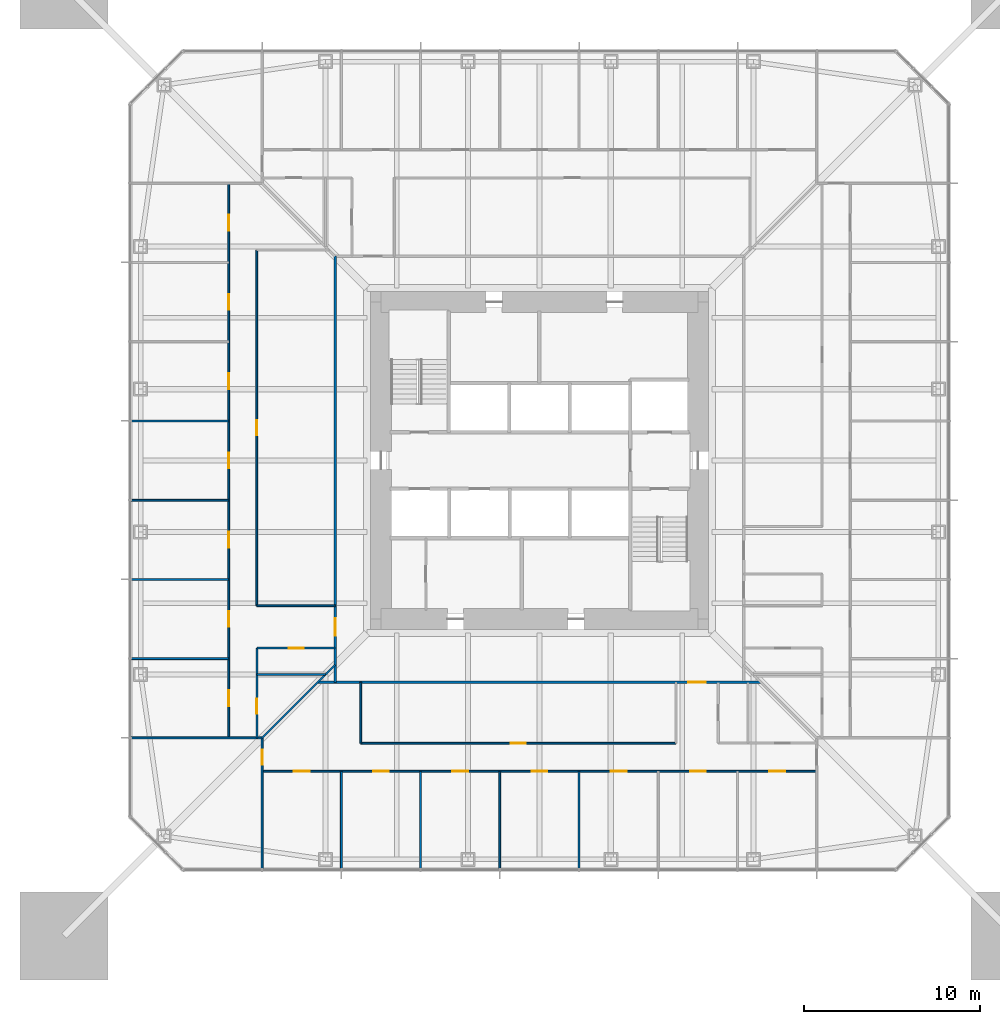
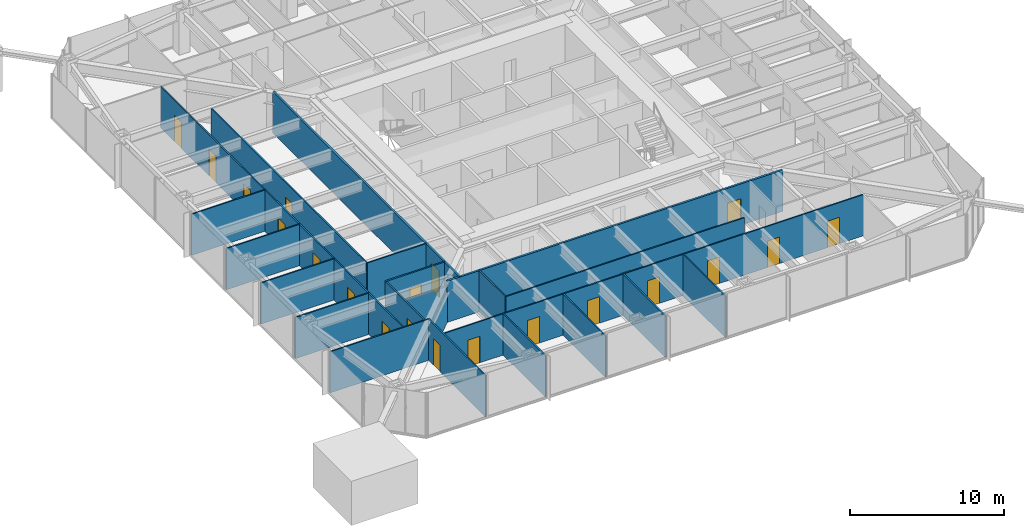
# One storey, part 14 of 26: 22 walls, 21 doors, 21 openings.
"""IFC4 building model written with IfcOpenShell, lengths in metres."""

from ifc_helpers import new_model, si_unit, direction, frame, frame_2d, origin, place, context, subcontext, project, spatial, rectangle, extrude, material, layer, layer_set, type_object, element, fill, save


model = new_model("IFC4")

# Units and contexts
model_context = context("Model", 3, precision=1e-05, world=origin(), true_north=direction((0.0, 1.0)))
body_context = subcontext(model_context, "Body", "Model", "MODEL_VIEW")
ifc_project = project(units=[si_unit("LENGTHUNIT", "METRE"), si_unit("AREAUNIT", "SQUARE_METRE"), si_unit("VOLUMEUNIT", "CUBIC_METRE"), si_unit("PLANEANGLEUNIT", "RADIAN"), si_unit("MASSUNIT", "GRAM", prefix="KILO")], contexts=[model_context])

# Site, building, storey
site_placement = place(None, origin())
site = spatial("IfcSite", under=ifc_project, at=site_placement, CompositionType="ELEMENT")
building_placement = place(site_placement, origin())
building = spatial("IfcBuilding", under=site, at=building_placement, Name="Iwan Alto Co-Living Towers", CompositionType="ELEMENT")
storey_placement = place(building_placement, frame((0.0, 0.0, 22.0)))
storey = spatial("IfcBuildingStorey", under=building, at=storey_placement, Name="L05", CompositionType="ELEMENT", Elevation=22.0)

# Wall, opening, door
ifc_material_1 = material(Name="Gypsum board")
ifc_layer_1 = layer(ifc_material_1, 0.02490234375, Name="Board", Category="Finish")
ifc_material_2 = material(Name="Steel ASTM A1003 ST33H cold-formed studs", Category="steel")
ifc_layer_2 = layer(ifc_material_2, 0.10009765625, Name="Studs", Category="Framing")
ifc_layer_3 = layer(ifc_material_1, 0.02490234375, Name="Board", Category="Finish")
ifc_layer_set_1 = layer_set([ifc_layer_1, ifc_layer_2, ifc_layer_3], Name="CORRIDOR WALL 150")
wall_type_1 = type_object("IfcWallType", Name="CORRIDOR WALL 150", PredefinedType="PARTITIONING", material=ifc_layer_set_1)
wall_1_placement = place(storey_placement, frame((-12.60009765625, -12.60009765625, 0.0), z_axis=(0.0, 0.0, 1.0), x_axis=(1.0, 0.0, 0.0)))
wall_1 = element("IfcWall", 1, at=wall_1_placement, inside=storey, type_object=wall_type_1, Name="Partition L05", PredefinedType="PARTITIONING", context=body_context, shape_type="SweptSolid", body=[
    extrude(rectangle(XDim=25.2001953125, YDim=0.14990234375, at=frame_2d((12.60009765625, 0.0))), origin(), (0.0, 0.0, 1.0), 3.27001953125),
])
opening_1_placement = place(wall_1_placement, frame((21.050048828125, 0.0, 0.0)))
opening_1 = element("IfcOpeningElement", 2, at=opening_1_placement, cuts=wall_1, Name="Opening D3", PredefinedType="OPENING", context=body_context, shape_type="SweptSolid", body=[
    extrude(rectangle(XDim=1.0, YDim=2.10009765625, at=frame_2d((0.5, 1.050048828125))), frame((0.0, 0.0849609375, 0.0), z_axis=(0.0, -1.0, 0.0), x_axis=(1.0, 0.0, 0.0)), (0.0, 0.0, 1.0), 0.169921875),
])
ifc_material_3 = material(Name="Steel frame with timber leaf", Category="steel")
door_type_1 = type_object("IfcDoorType", Name="FLAT ENTRANCE DOOR FD30S 1000X2100", OperationType="SINGLE_SWING_LEFT", PredefinedType="DOOR", material=ifc_material_3)
door_1_placement = place(opening_1_placement, frame((1.0, 0.0, 0.0), z_axis=(0.0, 0.0, 1.0), x_axis=(-1.0, 0.0, 0.0)))
door_1 = element("IfcDoor", 3, at=door_1_placement, inside=storey, type_object=door_type_1, Name="Cluster lounge door L05", OperationType="SINGLE_SWING_RIGHT", OverallHeight=2.10009765625, OverallWidth=1.0, PredefinedType="DOOR", context=body_context, shape_type="SweptSolid", body=[
    extrude(rectangle(XDim=1.0, YDim=2.10009765625, at=frame_2d((0.5, 1.050048828125))), frame((0.0, 0.02490234375, 0.0), z_axis=(0.0, -1.0, 0.0), x_axis=(1.0, 0.0, 0.0)), (0.0, 0.0, 1.0), 0.050048828125),
])
fill(opening_1, door_1)

wall_2_placement = place(storey_placement, frame((-11.60009765625, -12.60009765625, 0.0), z_axis=(0.0, 0.0, 1.0), x_axis=(0.0, 1.0, 0.0)))
wall_2 = element("IfcWall", 4, at=wall_2_placement, inside=storey, type_object=wall_type_1, Name="Partition L05", PredefinedType="PARTITIONING", context=body_context, shape_type="SweptSolid", body=[
    extrude(rectangle(XDim=24.2001953125, YDim=0.14990234375, at=frame_2d((12.10009765625, 0.0))), origin(), (0.0, 0.0, 1.0), 3.27001953125),
])
opening_2_placement = place(wall_2_placement, frame((2.64990234375, 0.0, 0.0)))
opening_2 = element("IfcOpeningElement", 5, at=opening_2_placement, cuts=wall_2, Name="Opening D3", PredefinedType="OPENING", context=body_context, shape_type="SweptSolid", body=[
    extrude(rectangle(XDim=1.0, YDim=2.10009765625, at=frame_2d((0.5, 1.050048828125))), frame((0.0, 0.0849609375, 0.0), z_axis=(0.0, -1.0, 0.0), x_axis=(1.0, 0.0, 0.0)), (0.0, 0.0, 1.0), 0.169921875),
])
door_2_placement = place(opening_2_placement, origin())
door_2 = element("IfcDoor", 6, at=door_2_placement, inside=storey, type_object=door_type_1, Name="Cluster lounge and shared kitchen door L05", OperationType="SINGLE_SWING_LEFT", OverallHeight=2.10009765625, OverallWidth=1.0, PredefinedType="DOOR", context=body_context, shape_type="SweptSolid", body=[
    extrude(rectangle(XDim=1.0, YDim=2.10009765625, at=frame_2d((0.5, 1.050048828125))), frame((0.0, 0.02490234375, 0.0), z_axis=(0.0, -1.0, 0.0), x_axis=(1.0, 0.0, 0.0)), (0.0, 0.0, 1.0), 0.050048828125),
])
fill(opening_2, door_2)

# Wall, openings, doors
ifc_layer_4 = layer(ifc_material_1, 0.012451171875, Name="Board", Category="Finish")
ifc_layer_5 = layer(ifc_material_2, 0.074951171875, Name="Studs", Category="Framing")
ifc_layer_6 = layer(ifc_material_1, 0.012451171875, Name="Board", Category="Finish")
ifc_layer_set_2 = layer_set([ifc_layer_4, ifc_layer_5, ifc_layer_6], Name="PARTITION 100")
wall_type_2 = type_object("IfcWallType", Name="PARTITION 100", PredefinedType="PARTITIONING", material=ifc_layer_set_2)
wall_3_placement = place(storey_placement, frame((-15.75, -17.64990234375, 0.0), z_axis=(0.0, 0.0, 1.0), x_axis=(1.0, 0.0, 0.0)))
wall_3 = element("IfcWall", 7, at=wall_3_placement, inside=storey, type_object=wall_type_2, Name="Partition L05", PredefinedType="PARTITIONING", context=body_context, shape_type="SweptSolid", body=[
    extrude(rectangle(XDim=31.5, YDim=0.10009765625, at=frame_2d((15.75, 0.0))), origin(), (0.0, 0.0, 1.0), 3.27001953125),
])
opening_3_placement = place(wall_3_placement, frame((1.800048828125, 0.0, 0.0)))
opening_3 = element("IfcOpeningElement", 8, at=opening_3_placement, cuts=wall_3, Name="Opening D1", PredefinedType="OPENING", context=body_context, shape_type="SweptSolid", body=[
    extrude(rectangle(XDim=0.89990234375, YDim=2.10009765625, at=frame_2d((0.449951171875, 1.050048828125))), frame((0.0, 0.06005859375, 0.0), z_axis=(0.0, -1.0, 0.0), x_axis=(1.0, 0.0, 0.0)), (0.0, 0.0, 1.0), 0.1201171875),
])
opening_4_placement = place(wall_3_placement, frame((6.300048828125, 0.0, 0.0)))
opening_4 = element("IfcOpeningElement", 9, at=opening_4_placement, cuts=wall_3, Name="Opening D1", PredefinedType="OPENING", context=body_context, shape_type="SweptSolid", body=[
    extrude(rectangle(XDim=0.89990234375, YDim=2.10009765625, at=frame_2d((0.449951171875, 1.050048828125))), frame((0.0, 0.06005859375, 0.0), z_axis=(0.0, -1.0, 0.0), x_axis=(1.0, 0.0, 0.0)), (0.0, 0.0, 1.0), 0.1201171875),
])
opening_5_placement = place(wall_3_placement, frame((10.800048828125, 0.0, 0.0)))
opening_5 = element("IfcOpeningElement", 10, at=opening_5_placement, cuts=wall_3, Name="Opening D1", PredefinedType="OPENING", context=body_context, shape_type="SweptSolid", body=[
    extrude(rectangle(XDim=0.89990234375, YDim=2.10009765625, at=frame_2d((0.449951171875, 1.050048828125))), frame((0.0, 0.06005859375, 0.0), z_axis=(0.0, -1.0, 0.0), x_axis=(1.0, 0.0, 0.0)), (0.0, 0.0, 1.0), 0.1201171875),
])
opening_6_placement = place(wall_3_placement, frame((15.300048828125, 0.0, 0.0)))
opening_6 = element("IfcOpeningElement", 11, at=opening_6_placement, cuts=wall_3, Name="Opening D1", PredefinedType="OPENING", context=body_context, shape_type="SweptSolid", body=[
    extrude(rectangle(XDim=0.89990234375, YDim=2.10009765625, at=frame_2d((0.449951171875, 1.050048828125))), frame((0.0, 0.06005859375, 0.0), z_axis=(0.0, -1.0, 0.0), x_axis=(1.0, 0.0, 0.0)), (0.0, 0.0, 1.0), 0.1201171875),
])
opening_7_placement = place(wall_3_placement, frame((19.800048828125, 0.0, 0.0)))
opening_7 = element("IfcOpeningElement", 12, at=opening_7_placement, cuts=wall_3, Name="Opening D1", PredefinedType="OPENING", context=body_context, shape_type="SweptSolid", body=[
    extrude(rectangle(XDim=0.89990234375, YDim=2.10009765625, at=frame_2d((0.449951171875, 1.050048828125))), frame((0.0, 0.06005859375, 0.0), z_axis=(0.0, -1.0, 0.0), x_axis=(1.0, 0.0, 0.0)), (0.0, 0.0, 1.0), 0.1201171875),
])
opening_8_placement = place(wall_3_placement, frame((24.300048828125, 0.0, 0.0)))
opening_8 = element("IfcOpeningElement", 13, at=opening_8_placement, cuts=wall_3, Name="Opening D1", PredefinedType="OPENING", context=body_context, shape_type="SweptSolid", body=[
    extrude(rectangle(XDim=0.89990234375, YDim=2.10009765625, at=frame_2d((0.449951171875, 1.050048828125))), frame((0.0, 0.06005859375, 0.0), z_axis=(0.0, -1.0, 0.0), x_axis=(1.0, 0.0, 0.0)), (0.0, 0.0, 1.0), 0.1201171875),
])
opening_9_placement = place(wall_3_placement, frame((28.800048828125, 0.0, 0.0)))
opening_9 = element("IfcOpeningElement", 14, at=opening_9_placement, cuts=wall_3, Name="Opening D1", PredefinedType="OPENING", context=body_context, shape_type="SweptSolid", body=[
    extrude(rectangle(XDim=0.89990234375, YDim=2.10009765625, at=frame_2d((0.449951171875, 1.050048828125))), frame((0.0, 0.06005859375, 0.0), z_axis=(0.0, -1.0, 0.0), x_axis=(1.0, 0.0, 0.0)), (0.0, 0.0, 1.0), 0.1201171875),
])
ifc_material_4 = material(Name="Timber leaf in steel frame", Category="steel")
door_type_2 = type_object("IfcDoorType", Name="BEDROOM DOOR 900X2100", OperationType="SINGLE_SWING_LEFT", PredefinedType="DOOR", material=ifc_material_4)
door_3_placement = place(opening_3_placement, origin())
door_3 = element("IfcDoor", 15, at=door_3_placement, inside=storey, type_object=door_type_2, Name="Study bedroom door L05", OperationType="SINGLE_SWING_LEFT", OverallHeight=2.10009765625, OverallWidth=0.89990234375, PredefinedType="DOOR", context=body_context, shape_type="SweptSolid", body=[
    extrude(rectangle(XDim=0.89990234375, YDim=2.10009765625, at=frame_2d((0.449951171875, 1.050048828125))), frame((0.0, 0.02490234375, 0.0), z_axis=(0.0, -1.0, 0.0), x_axis=(1.0, 0.0, 0.0)), (0.0, 0.0, 1.0), 0.050048828125),
])
fill(opening_3, door_3)
door_4_placement = place(opening_4_placement, origin())
door_4 = element("IfcDoor", 16, at=door_4_placement, inside=storey, type_object=door_type_2, Name="Study bedroom door L05", OperationType="SINGLE_SWING_LEFT", OverallHeight=2.10009765625, OverallWidth=0.89990234375, PredefinedType="DOOR", context=body_context, shape_type="SweptSolid", body=[
    extrude(rectangle(XDim=0.89990234375, YDim=2.10009765625, at=frame_2d((0.449951171875, 1.050048828125))), frame((0.0, 0.02490234375, 0.0), z_axis=(0.0, -1.0, 0.0), x_axis=(1.0, 0.0, 0.0)), (0.0, 0.0, 1.0), 0.050048828125),
])
fill(opening_4, door_4)
door_5_placement = place(opening_5_placement, origin())
door_5 = element("IfcDoor", 17, at=door_5_placement, inside=storey, type_object=door_type_2, Name="Study bedroom door L05", OperationType="SINGLE_SWING_LEFT", OverallHeight=2.10009765625, OverallWidth=0.89990234375, PredefinedType="DOOR", context=body_context, shape_type="SweptSolid", body=[
    extrude(rectangle(XDim=0.89990234375, YDim=2.10009765625, at=frame_2d((0.449951171875, 1.050048828125))), frame((0.0, 0.02490234375, 0.0), z_axis=(0.0, -1.0, 0.0), x_axis=(1.0, 0.0, 0.0)), (0.0, 0.0, 1.0), 0.050048828125),
])
fill(opening_5, door_5)
door_6_placement = place(opening_6_placement, origin())
door_6 = element("IfcDoor", 18, at=door_6_placement, inside=storey, type_object=door_type_2, Name="Study bedroom door L05", OperationType="SINGLE_SWING_LEFT", OverallHeight=2.10009765625, OverallWidth=0.89990234375, PredefinedType="DOOR", context=body_context, shape_type="SweptSolid", body=[
    extrude(rectangle(XDim=0.89990234375, YDim=2.10009765625, at=frame_2d((0.449951171875, 1.050048828125))), frame((0.0, 0.02490234375, 0.0), z_axis=(0.0, -1.0, 0.0), x_axis=(1.0, 0.0, 0.0)), (0.0, 0.0, 1.0), 0.050048828125),
])
fill(opening_6, door_6)
door_7_placement = place(opening_7_placement, origin())
door_7 = element("IfcDoor", 19, at=door_7_placement, inside=storey, type_object=door_type_2, Name="Study bedroom door L05", OperationType="SINGLE_SWING_RIGHT", OverallHeight=2.10009765625, OverallWidth=0.89990234375, PredefinedType="DOOR", context=body_context, shape_type="SweptSolid", body=[
    extrude(rectangle(XDim=0.89990234375, YDim=2.10009765625, at=frame_2d((0.449951171875, 1.050048828125))), frame((0.0, 0.02490234375, 0.0), z_axis=(0.0, -1.0, 0.0), x_axis=(1.0, 0.0, 0.0)), (0.0, 0.0, 1.0), 0.050048828125),
])
fill(opening_7, door_7)
door_8_placement = place(opening_8_placement, origin())
door_8 = element("IfcDoor", 20, at=door_8_placement, inside=storey, type_object=door_type_2, Name="Study bedroom door L05", OperationType="SINGLE_SWING_RIGHT", OverallHeight=2.10009765625, OverallWidth=0.89990234375, PredefinedType="DOOR", context=body_context, shape_type="SweptSolid", body=[
    extrude(rectangle(XDim=0.89990234375, YDim=2.10009765625, at=frame_2d((0.449951171875, 1.050048828125))), frame((0.0, 0.02490234375, 0.0), z_axis=(0.0, -1.0, 0.0), x_axis=(1.0, 0.0, 0.0)), (0.0, 0.0, 1.0), 0.050048828125),
])
fill(opening_8, door_8)
door_9_placement = place(opening_9_placement, origin())
door_9 = element("IfcDoor", 21, at=door_9_placement, inside=storey, type_object=door_type_2, Name="Study bedroom door L05", OperationType="SINGLE_SWING_RIGHT", OverallHeight=2.10009765625, OverallWidth=0.89990234375, PredefinedType="DOOR", context=body_context, shape_type="SweptSolid", body=[
    extrude(rectangle(XDim=0.89990234375, YDim=2.10009765625, at=frame_2d((0.449951171875, 1.050048828125))), frame((0.0, 0.02490234375, 0.0), z_axis=(0.0, -1.0, 0.0), x_axis=(1.0, 0.0, 0.0)), (0.0, 0.0, 1.0), 0.050048828125),
])
fill(opening_9, door_9)

# Wall, opening, door
wall_4_placement = place(storey_placement, frame((-10.14990234375, -16.050048828125, 0.0), z_axis=(0.0, 0.0, 1.0), x_axis=(1.0, 0.0, 0.0)))
wall_4 = element("IfcWall", 22, at=wall_4_placement, inside=storey, type_object=wall_type_2, Name="Partition L05", PredefinedType="PARTITIONING", context=body_context, shape_type="SweptSolid", body=[
    extrude(rectangle(XDim=17.89990234375, YDim=0.10009765625, at=frame_2d((8.949951171875, 0.0))), origin(), (0.0, 0.0, 1.0), 3.27001953125),
])
opening_10_placement = place(wall_4_placement, frame((8.52490234375, 0.0, 0.0)))
opening_10 = element("IfcOpeningElement", 23, at=opening_10_placement, cuts=wall_4, Name="Opening D2", PredefinedType="OPENING", context=body_context, shape_type="SweptSolid", body=[
    extrude(rectangle(XDim=0.85009765625, YDim=2.10009765625, at=frame_2d((0.425048828125, 1.050048828125))), frame((0.0, 0.06005859375, 0.0), z_axis=(0.0, -1.0, 0.0), x_axis=(1.0, 0.0, 0.0)), (0.0, 0.0, 1.0), 0.1201171875),
])
ifc_material_5 = material(Name="Timber leaf in steel frame", Category="steel")
door_type_3 = type_object("IfcDoorType", Name="ROOM DOOR 850X2100", OperationType="SINGLE_SWING_LEFT", PredefinedType="DOOR", material=ifc_material_5)
door_10_placement = place(opening_10_placement, frame((0.85009765625, 0.0, 0.0), z_axis=(0.0, 0.0, 1.0), x_axis=(-1.0, 0.0, 0.0)))
door_10 = element("IfcDoor", 24, at=door_10_placement, inside=storey, type_object=door_type_3, Name="Study lounge door L05", OperationType="SINGLE_SWING_RIGHT", OverallHeight=2.10009765625, OverallWidth=0.85009765625, PredefinedType="DOOR", context=body_context, shape_type="SweptSolid", body=[
    extrude(rectangle(XDim=0.85009765625, YDim=2.10009765625, at=frame_2d((0.425048828125, 1.050048828125))), frame((0.0, 0.02490234375, 0.0), z_axis=(0.0, -1.0, 0.0), x_axis=(1.0, 0.0, 0.0)), (0.0, 0.0, 1.0), 0.050048828125),
])
fill(opening_10, door_10)

# Walls
wall_5_placement = place(storey_placement, frame((-23.18994140625, -15.75, 0.0), z_axis=(0.0, 0.0, 1.0), x_axis=(1.0, 0.0, 0.0)))
element("IfcWall", 25, at=wall_5_placement, inside=storey, type_object=wall_type_2, Name="Partition L05", PredefinedType="PARTITIONING", context=body_context, shape_type="SweptSolid", body=[
    extrude(rectangle(XDim=7.43994140625, YDim=0.10009765625, at=frame_2d((3.719970703125, 0.0))), origin(), (0.0, 0.0, 1.0), 3.27001953125),
])
wall_6_placement = place(storey_placement, frame((-23.18994140625, -11.25, 0.0), z_axis=(0.0, 0.0, 1.0), x_axis=(1.0, 0.0, 0.0)))
element("IfcWall", 26, at=wall_6_placement, inside=storey, type_object=wall_type_2, Name="Partition L05", PredefinedType="PARTITIONING", context=body_context, shape_type="SweptSolid", body=[
    extrude(rectangle(XDim=5.5400390625, YDim=0.10009765625, at=frame_2d((2.77001953125, 0.0))), origin(), (0.0, 0.0, 1.0), 3.27001953125),
])
wall_7_placement = place(storey_placement, frame((-16.050048828125, -8.25, 0.0), z_axis=(0.0, 0.0, 1.0), x_axis=(1.0, 0.0, 0.0)))
element("IfcWall", 27, at=wall_7_placement, inside=storey, type_object=wall_type_2, Name="Partition L05", PredefinedType="PARTITIONING", context=body_context, shape_type="SweptSolid", body=[
    extrude(rectangle(XDim=4.449951171875, YDim=0.10009765625, at=frame_2d((2.22509765625, 0.0))), origin(), (0.0, 0.0, 1.0), 3.27001953125),
])
for number, where, z_axis, x_axis, name in (
    (28, (-23.18994140625, -6.75, 0.0), (0.0, 0.0, 1.0), (1.0, 0.0, 0.0), "Partition L05"),
    (29, (-23.18994140625, -2.25, 0.0), (0.0, 0.0, 1.0), (1.0, 0.0, 0.0), "Partition L05"),
    (30, (-23.18994140625, 2.25, 0.0), (0.0, 0.0, 1.0), (1.0, 0.0, 0.0), "Partition L05"),
    (31, (2.25, -23.18994140625, 0.0), (0.0, 0.0, 1.0), (0.0, 1.0, 0.0), "Partition L05"),
    (32, (-2.25, -23.18994140625, 0.0), (0.0, 0.0, 1.0), (0.0, 1.0, 0.0), "Partition L05"),
    (33, (-6.75, -23.18994140625, 0.0), (0.0, 0.0, 1.0), (0.0, 1.0, 0.0), "Partition L05"),
):
    element("IfcWall", number, at=place(storey_placement, frame(where, z_axis=z_axis, x_axis=x_axis)), inside=storey, type_object=wall_type_2, Name=name, PredefinedType="PARTITIONING", context=body_context, shape_type="SweptSolid", body=[
        extrude(rectangle(XDim=5.5400390625, YDim=0.10009765625, at=frame_2d((2.77001953125, 0.0))), origin(), (0.0, 0.0, 1.0), 3.27001953125),
    ])
wall_8_placement = place(storey_placement, frame((-10.14990234375, -16.050048828125, 0.0), z_axis=(0.0, 0.0, 1.0), x_axis=(0.0, 1.0, 0.0)))
element("IfcWall", 34, at=wall_8_placement, inside=storey, type_object=wall_type_2, Name="Partition L05", PredefinedType="PARTITIONING", context=body_context, shape_type="SweptSolid", body=[
    extrude(rectangle(XDim=3.449951171875, YDim=0.10009765625, at=frame_2d((1.72509765625, 0.0))), origin(), (0.0, 0.0, 1.0), 3.27001953125),
])
wall_9_placement = place(storey_placement, frame((-11.25, -23.18994140625, 0.0), z_axis=(0.0, 0.0, 1.0), x_axis=(0.0, 1.0, 0.0)))
element("IfcWall", 35, at=wall_9_placement, inside=storey, type_object=wall_type_2, Name="Partition L05", PredefinedType="PARTITIONING", context=body_context, shape_type="SweptSolid", body=[
    extrude(rectangle(XDim=5.5400390625, YDim=0.10009765625, at=frame_2d((2.77001953125, 0.0))), origin(), (0.0, 0.0, 1.0), 3.27001953125),
])

# Wall, opening, door
wall_10_placement = place(storey_placement, frame((-15.75, -23.18994140625, 0.0), z_axis=(0.0, 0.0, 1.0), x_axis=(0.0, 1.0, 0.0)))
wall_10 = element("IfcWall", 36, at=wall_10_placement, inside=storey, type_object=wall_type_2, Name="Partition L05", PredefinedType="PARTITIONING", context=body_context, shape_type="SweptSolid", body=[
    extrude(rectangle(XDim=7.43994140625, YDim=0.10009765625, at=frame_2d((3.719970703125, 0.0))), origin(), (0.0, 0.0, 1.0), 3.27001953125),
])
opening_11_placement = place(wall_10_placement, frame((5.9150390625, 0.0, 0.0)))
opening_11 = element("IfcOpeningElement", 37, at=opening_11_placement, cuts=wall_10, Name="Opening D2", PredefinedType="OPENING", context=body_context, shape_type="SweptSolid", body=[
    extrude(rectangle(XDim=0.85009765625, YDim=2.10009765625, at=frame_2d((0.425048828125, 1.050048828125))), frame((0.0, 0.06005859375, 0.0), z_axis=(0.0, -1.0, 0.0), x_axis=(1.0, 0.0, 0.0)), (0.0, 0.0, 1.0), 0.1201171875),
])
door_11_placement = place(opening_11_placement, frame((0.85009765625, 0.0, 0.0), z_axis=(0.0, 0.0, 1.0), x_axis=(-1.0, 0.0, 0.0)))
door_11 = element("IfcDoor", 38, at=door_11_placement, inside=storey, type_object=door_type_3, Name="Shared kitchen and dining room door L05", OperationType="SINGLE_SWING_RIGHT", OverallHeight=2.10009765625, OverallWidth=0.85009765625, PredefinedType="DOOR", context=body_context, shape_type="SweptSolid", body=[
    extrude(rectangle(XDim=0.85009765625, YDim=2.10009765625, at=frame_2d((0.425048828125, 1.050048828125))), frame((0.0, 0.02490234375, 0.0), z_axis=(0.0, -1.0, 0.0), x_axis=(1.0, 0.0, 0.0)), (0.0, 0.0, 1.0), 0.050048828125),
])
fill(opening_11, door_11)

wall_11_placement = place(storey_placement, frame((-16.050048828125, -8.25, 0.0), z_axis=(0.0, 0.0, 1.0), x_axis=(0.0, 1.0, 0.0)))
wall_11 = element("IfcWall", 39, at=wall_11_placement, inside=storey, type_object=wall_type_2, Name="Partition L05", PredefinedType="PARTITIONING", context=body_context, shape_type="SweptSolid", body=[
    extrude(rectangle(XDim=20.199951171875, YDim=0.10009765625, at=frame_2d((10.10009765625, 0.0))), origin(), (0.0, 0.0, 1.0), 3.27001953125),
])
opening_12_placement = place(wall_11_placement, frame((9.675048828125, 0.0, 0.0)))
opening_12 = element("IfcOpeningElement", 40, at=opening_12_placement, cuts=wall_11, Name="Opening D2", PredefinedType="OPENING", context=body_context, shape_type="SweptSolid", body=[
    extrude(rectangle(XDim=0.85009765625, YDim=2.10009765625, at=frame_2d((0.425048828125, 1.050048828125))), frame((0.0, 0.06005859375, 0.0), z_axis=(0.0, -1.0, 0.0), x_axis=(1.0, 0.0, 0.0)), (0.0, 0.0, 1.0), 0.1201171875),
])
door_12_placement = place(opening_12_placement, frame((0.85009765625, 0.0, 0.0), z_axis=(0.0, 0.0, 1.0), x_axis=(-1.0, 0.0, 0.0)))
door_12 = element("IfcDoor", 41, at=door_12_placement, inside=storey, type_object=door_type_3, Name="Study lounge door L05", OperationType="SINGLE_SWING_RIGHT", OverallHeight=2.10009765625, OverallWidth=0.85009765625, PredefinedType="DOOR", context=body_context, shape_type="SweptSolid", body=[
    extrude(rectangle(XDim=0.85009765625, YDim=2.10009765625, at=frame_2d((0.425048828125, 1.050048828125))), frame((0.0, 0.02490234375, 0.0), z_axis=(0.0, -1.0, 0.0), x_axis=(1.0, 0.0, 0.0)), (0.0, 0.0, 1.0), 0.050048828125),
])
fill(opening_12, door_12)

# Wall, openings, doors
wall_12_placement = place(storey_placement, frame((-17.64990234375, -15.75, 0.0), z_axis=(0.0, 0.0, 1.0), x_axis=(0.0, 1.0, 0.0)))
wall_12 = element("IfcWall", 42, at=wall_12_placement, inside=storey, type_object=wall_type_2, Name="Partition L05", PredefinedType="PARTITIONING", context=body_context, shape_type="SweptSolid", body=[
    extrude(rectangle(XDim=31.5, YDim=0.10009765625, at=frame_2d((15.75, 0.0))), origin(), (0.0, 0.0, 1.0), 3.27001953125),
])
opening_13_placement = place(wall_12_placement, frame((28.800048828125, 0.0, 0.0)))
opening_13 = element("IfcOpeningElement", 43, at=opening_13_placement, cuts=wall_12, Name="Opening D1", PredefinedType="OPENING", context=body_context, shape_type="SweptSolid", body=[
    extrude(rectangle(XDim=0.89990234375, YDim=2.10009765625, at=frame_2d((0.449951171875, 1.050048828125))), frame((0.0, 0.06005859375, 0.0), z_axis=(0.0, -1.0, 0.0), x_axis=(1.0, 0.0, 0.0)), (0.0, 0.0, 1.0), 0.1201171875),
])
opening_14_placement = place(wall_12_placement, frame((24.300048828125, 0.0, 0.0)))
opening_14 = element("IfcOpeningElement", 44, at=opening_14_placement, cuts=wall_12, Name="Opening D1", PredefinedType="OPENING", context=body_context, shape_type="SweptSolid", body=[
    extrude(rectangle(XDim=0.89990234375, YDim=2.10009765625, at=frame_2d((0.449951171875, 1.050048828125))), frame((0.0, 0.06005859375, 0.0), z_axis=(0.0, -1.0, 0.0), x_axis=(1.0, 0.0, 0.0)), (0.0, 0.0, 1.0), 0.1201171875),
])
opening_15_placement = place(wall_12_placement, frame((19.800048828125, 0.0, 0.0)))
opening_15 = element("IfcOpeningElement", 45, at=opening_15_placement, cuts=wall_12, Name="Opening D1", PredefinedType="OPENING", context=body_context, shape_type="SweptSolid", body=[
    extrude(rectangle(XDim=0.89990234375, YDim=2.10009765625, at=frame_2d((0.449951171875, 1.050048828125))), frame((0.0, 0.06005859375, 0.0), z_axis=(0.0, -1.0, 0.0), x_axis=(1.0, 0.0, 0.0)), (0.0, 0.0, 1.0), 0.1201171875),
])
opening_16_placement = place(wall_12_placement, frame((15.300048828125, 0.0, 0.0)))
opening_16 = element("IfcOpeningElement", 46, at=opening_16_placement, cuts=wall_12, Name="Opening D1", PredefinedType="OPENING", context=body_context, shape_type="SweptSolid", body=[
    extrude(rectangle(XDim=0.89990234375, YDim=2.10009765625, at=frame_2d((0.449951171875, 1.050048828125))), frame((0.0, 0.06005859375, 0.0), z_axis=(0.0, -1.0, 0.0), x_axis=(1.0, 0.0, 0.0)), (0.0, 0.0, 1.0), 0.1201171875),
])
opening_17_placement = place(wall_12_placement, frame((10.800048828125, 0.0, 0.0)))
opening_17 = element("IfcOpeningElement", 47, at=opening_17_placement, cuts=wall_12, Name="Opening D1", PredefinedType="OPENING", context=body_context, shape_type="SweptSolid", body=[
    extrude(rectangle(XDim=0.89990234375, YDim=2.10009765625, at=frame_2d((0.449951171875, 1.050048828125))), frame((0.0, 0.06005859375, 0.0), z_axis=(0.0, -1.0, 0.0), x_axis=(1.0, 0.0, 0.0)), (0.0, 0.0, 1.0), 0.1201171875),
])
opening_18_placement = place(wall_12_placement, frame((6.300048828125, 0.0, 0.0)))
opening_18 = element("IfcOpeningElement", 48, at=opening_18_placement, cuts=wall_12, Name="Opening D1", PredefinedType="OPENING", context=body_context, shape_type="SweptSolid", body=[
    extrude(rectangle(XDim=0.89990234375, YDim=2.10009765625, at=frame_2d((0.449951171875, 1.050048828125))), frame((0.0, 0.06005859375, 0.0), z_axis=(0.0, -1.0, 0.0), x_axis=(1.0, 0.0, 0.0)), (0.0, 0.0, 1.0), 0.1201171875),
])
opening_19_placement = place(wall_12_placement, frame((1.800048828125, 0.0, 0.0)))
opening_19 = element("IfcOpeningElement", 49, at=opening_19_placement, cuts=wall_12, Name="Opening D1", PredefinedType="OPENING", context=body_context, shape_type="SweptSolid", body=[
    extrude(rectangle(XDim=0.89990234375, YDim=2.10009765625, at=frame_2d((0.449951171875, 1.050048828125))), frame((0.0, 0.06005859375, 0.0), z_axis=(0.0, -1.0, 0.0), x_axis=(1.0, 0.0, 0.0)), (0.0, 0.0, 1.0), 0.1201171875),
])
door_13_placement = place(opening_13_placement, frame((0.89990234375, 0.0, 0.0), z_axis=(0.0, 0.0, 1.0), x_axis=(-1.0, 0.0, 0.0)))
door_13 = element("IfcDoor", 50, at=door_13_placement, inside=storey, type_object=door_type_2, Name="Study bedroom door L05", OperationType="SINGLE_SWING_LEFT", OverallHeight=2.10009765625, OverallWidth=0.89990234375, PredefinedType="DOOR", context=body_context, shape_type="SweptSolid", body=[
    extrude(rectangle(XDim=0.89990234375, YDim=2.10009765625, at=frame_2d((0.449951171875, 1.050048828125))), frame((0.0, 0.02490234375, 0.0), z_axis=(0.0, -1.0, 0.0), x_axis=(1.0, 0.0, 0.0)), (0.0, 0.0, 1.0), 0.050048828125),
])
fill(opening_13, door_13)
door_14_placement = place(opening_14_placement, frame((0.89990234375, 0.0, 0.0), z_axis=(0.0, 0.0, 1.0), x_axis=(-1.0, 0.0, 0.0)))
door_14 = element("IfcDoor", 51, at=door_14_placement, inside=storey, type_object=door_type_2, Name="Study bedroom door L05", OperationType="SINGLE_SWING_LEFT", OverallHeight=2.10009765625, OverallWidth=0.89990234375, PredefinedType="DOOR", context=body_context, shape_type="SweptSolid", body=[
    extrude(rectangle(XDim=0.89990234375, YDim=2.10009765625, at=frame_2d((0.449951171875, 1.050048828125))), frame((0.0, 0.02490234375, 0.0), z_axis=(0.0, -1.0, 0.0), x_axis=(1.0, 0.0, 0.0)), (0.0, 0.0, 1.0), 0.050048828125),
])
fill(opening_14, door_14)
door_15_placement = place(opening_15_placement, frame((0.89990234375, 0.0, 0.0), z_axis=(0.0, 0.0, 1.0), x_axis=(-1.0, 0.0, 0.0)))
door_15 = element("IfcDoor", 52, at=door_15_placement, inside=storey, type_object=door_type_2, Name="Study bedroom door L05", OperationType="SINGLE_SWING_LEFT", OverallHeight=2.10009765625, OverallWidth=0.89990234375, PredefinedType="DOOR", context=body_context, shape_type="SweptSolid", body=[
    extrude(rectangle(XDim=0.89990234375, YDim=2.10009765625, at=frame_2d((0.449951171875, 1.050048828125))), frame((0.0, 0.02490234375, 0.0), z_axis=(0.0, -1.0, 0.0), x_axis=(1.0, 0.0, 0.0)), (0.0, 0.0, 1.0), 0.050048828125),
])
fill(opening_15, door_15)
door_16_placement = place(opening_16_placement, frame((0.89990234375, 0.0, 0.0), z_axis=(0.0, 0.0, 1.0), x_axis=(-1.0, 0.0, 0.0)))
door_16 = element("IfcDoor", 53, at=door_16_placement, inside=storey, type_object=door_type_2, Name="Study bedroom door L05", OperationType="SINGLE_SWING_RIGHT", OverallHeight=2.10009765625, OverallWidth=0.89990234375, PredefinedType="DOOR", context=body_context, shape_type="SweptSolid", body=[
    extrude(rectangle(XDim=0.89990234375, YDim=2.10009765625, at=frame_2d((0.449951171875, 1.050048828125))), frame((0.0, 0.02490234375, 0.0), z_axis=(0.0, -1.0, 0.0), x_axis=(1.0, 0.0, 0.0)), (0.0, 0.0, 1.0), 0.050048828125),
])
fill(opening_16, door_16)
door_17_placement = place(opening_17_placement, frame((0.89990234375, 0.0, 0.0), z_axis=(0.0, 0.0, 1.0), x_axis=(-1.0, 0.0, 0.0)))
door_17 = element("IfcDoor", 54, at=door_17_placement, inside=storey, type_object=door_type_2, Name="Study bedroom door L05", OperationType="SINGLE_SWING_RIGHT", OverallHeight=2.10009765625, OverallWidth=0.89990234375, PredefinedType="DOOR", context=body_context, shape_type="SweptSolid", body=[
    extrude(rectangle(XDim=0.89990234375, YDim=2.10009765625, at=frame_2d((0.449951171875, 1.050048828125))), frame((0.0, 0.02490234375, 0.0), z_axis=(0.0, -1.0, 0.0), x_axis=(1.0, 0.0, 0.0)), (0.0, 0.0, 1.0), 0.050048828125),
])
fill(opening_17, door_17)
door_18_placement = place(opening_18_placement, frame((0.89990234375, 0.0, 0.0), z_axis=(0.0, 0.0, 1.0), x_axis=(-1.0, 0.0, 0.0)))
door_18 = element("IfcDoor", 55, at=door_18_placement, inside=storey, type_object=door_type_2, Name="Study bedroom door L05", OperationType="SINGLE_SWING_RIGHT", OverallHeight=2.10009765625, OverallWidth=0.89990234375, PredefinedType="DOOR", context=body_context, shape_type="SweptSolid", body=[
    extrude(rectangle(XDim=0.89990234375, YDim=2.10009765625, at=frame_2d((0.449951171875, 1.050048828125))), frame((0.0, 0.02490234375, 0.0), z_axis=(0.0, -1.0, 0.0), x_axis=(1.0, 0.0, 0.0)), (0.0, 0.0, 1.0), 0.050048828125),
])
fill(opening_18, door_18)
door_19_placement = place(opening_19_placement, frame((0.89990234375, 0.0, 0.0), z_axis=(0.0, 0.0, 1.0), x_axis=(-1.0, 0.0, 0.0)))
door_19 = element("IfcDoor", 56, at=door_19_placement, inside=storey, type_object=door_type_2, Name="Study bedroom door L05", OperationType="SINGLE_SWING_RIGHT", OverallHeight=2.10009765625, OverallWidth=0.89990234375, PredefinedType="DOOR", context=body_context, shape_type="SweptSolid", body=[
    extrude(rectangle(XDim=0.89990234375, YDim=2.10009765625, at=frame_2d((0.449951171875, 1.050048828125))), frame((0.0, 0.02490234375, 0.0), z_axis=(0.0, -1.0, 0.0), x_axis=(1.0, 0.0, 0.0)), (0.0, 0.0, 1.0), 0.050048828125),
])
fill(opening_19, door_19)

# Wall
ifc_material_6 = material(Name="Cement board")
ifc_layer_7 = layer(ifc_material_6, 0.012451171875, Name="Board", Category="Finish")
ifc_layer_8 = layer(ifc_material_2, 0.094970703125, Name="Studs", Category="Framing")
ifc_layer_9 = layer(ifc_material_6, 0.012451171875, Name="Board", Category="Finish")
ifc_layer_set_3 = layer_set([ifc_layer_7, ifc_layer_8, ifc_layer_9], Name="WET AREA PARTITION 120")
wall_type_3 = type_object("IfcWallType", Name="WET AREA PARTITION 120", PredefinedType="PARTITIONING", material=ifc_layer_set_3)
wall_13_placement = place(storey_placement, frame((-16.050048828125, -12.14990234375, 0.0), z_axis=(0.0, 0.0, 1.0), x_axis=(1.0, 0.0, 0.0)))
element("IfcWall", 57, at=wall_13_placement, inside=storey, type_object=wall_type_3, Name="Partition L05", PredefinedType="PARTITIONING", context=body_context, shape_type="SweptSolid", body=[
    extrude(rectangle(XDim=3.900146484375, YDim=0.1201171875, at=frame_2d((1.9501953125, 0.0))), origin(), (0.0, 0.0, 1.0), 2.508056640625),
])

# Wall, opening, door
wall_14_placement = place(storey_placement, frame((-16.050048828125, -10.64990234375, 0.0), z_axis=(0.0, 0.0, 1.0), x_axis=(1.0, 0.0, 0.0)))
wall_14 = element("IfcWall", 58, at=wall_14_placement, inside=storey, type_object=wall_type_3, Name="Partition L05", PredefinedType="PARTITIONING", context=body_context, shape_type="SweptSolid", body=[
    extrude(rectangle(XDim=4.449951171875, YDim=0.1201171875, at=frame_2d((2.22509765625, 0.0))), origin(), (0.0, 0.0, 1.0), 3.27001953125),
])
opening_20_placement = place(wall_14_placement, frame((1.800048828125, 0.0, 0.0)))
opening_20 = element("IfcOpeningElement", 59, at=opening_20_placement, cuts=wall_14, Name="Opening D2", PredefinedType="OPENING", context=body_context, shape_type="SweptSolid", body=[
    extrude(rectangle(XDim=0.85009765625, YDim=2.10009765625, at=frame_2d((0.425048828125, 1.050048828125))), frame((0.0, 0.070068359375, 0.0), z_axis=(0.0, -1.0, 0.0), x_axis=(1.0, 0.0, 0.0)), (0.0, 0.0, 1.0), 0.14013671875),
])
door_20_placement = place(opening_20_placement, origin())
door_20 = element("IfcDoor", 60, at=door_20_placement, inside=storey, type_object=door_type_3, Name="Bathroom door L05", OperationType="SINGLE_SWING_RIGHT", OverallHeight=2.10009765625, OverallWidth=0.85009765625, PredefinedType="DOOR", context=body_context, shape_type="SweptSolid", body=[
    extrude(rectangle(XDim=0.85009765625, YDim=2.10009765625, at=frame_2d((0.425048828125, 1.050048828125))), frame((0.0, 0.02490234375, 0.0), z_axis=(0.0, -1.0, 0.0), x_axis=(1.0, 0.0, 0.0)), (0.0, 0.0, 1.0), 0.050048828125),
])
fill(opening_20, door_20)

# Wall
wall_15_placement = place(storey_placement, frame((-15.75, -15.75, 0.0), z_axis=(0.0, 0.0, 1.0), x_axis=(0.707106781187, 0.707106781187, 0.0)))
element("IfcWall", 61, at=wall_15_placement, inside=storey, type_object=wall_type_3, Name="Partition L05", PredefinedType="PARTITIONING", context=body_context, shape_type="SweptSolid", body=[
    extrude(rectangle(XDim=5.868896484375, YDim=0.1201171875, at=frame_2d((2.9345703125, 0.0))), origin(), (0.0, 0.0, 1.0), 2.343017578125),
])

# Wall, opening, door
wall_16_placement = place(storey_placement, frame((-16.050048828125, -15.75, 0.0), z_axis=(0.0, 0.0, 1.0), x_axis=(0.0, 1.0, 0.0)))
wall_16 = element("IfcWall", 62, at=wall_16_placement, inside=storey, type_object=wall_type_3, Name="Partition L05", PredefinedType="PARTITIONING", context=body_context, shape_type="SweptSolid", body=[
    extrude(rectangle(XDim=5.10009765625, YDim=0.1201171875, at=frame_2d((2.550048828125, 0.0))), origin(), (0.0, 0.0, 1.0), 3.27001953125),
])
opening_21_placement = place(wall_16_placement, frame((1.375, 0.0, 0.0)))
opening_21 = element("IfcOpeningElement", 63, at=opening_21_placement, cuts=wall_16, Name="Opening D2", PredefinedType="OPENING", context=body_context, shape_type="SweptSolid", body=[
    extrude(rectangle(XDim=0.85009765625, YDim=2.10009765625, at=frame_2d((0.425048828125, 1.050048828125))), frame((0.0, 0.070068359375, 0.0), z_axis=(0.0, -1.0, 0.0), x_axis=(1.0, 0.0, 0.0)), (0.0, 0.0, 1.0), 0.14013671875),
])
door_21_placement = place(opening_21_placement, origin())
door_21 = element("IfcDoor", 64, at=door_21_placement, inside=storey, type_object=door_type_3, Name="Accessible bathroom door L05", OperationType="SINGLE_SWING_LEFT", OverallHeight=2.10009765625, OverallWidth=0.85009765625, PredefinedType="DOOR", context=body_context, shape_type="SweptSolid", body=[
    extrude(rectangle(XDim=0.85009765625, YDim=2.10009765625, at=frame_2d((0.425048828125, 1.050048828125))), frame((0.0, 0.02490234375, 0.0), z_axis=(0.0, -1.0, 0.0), x_axis=(1.0, 0.0, 0.0)), (0.0, 0.0, 1.0), 0.050048828125),
])
fill(opening_21, door_21)

save(model, "model.ifc")
